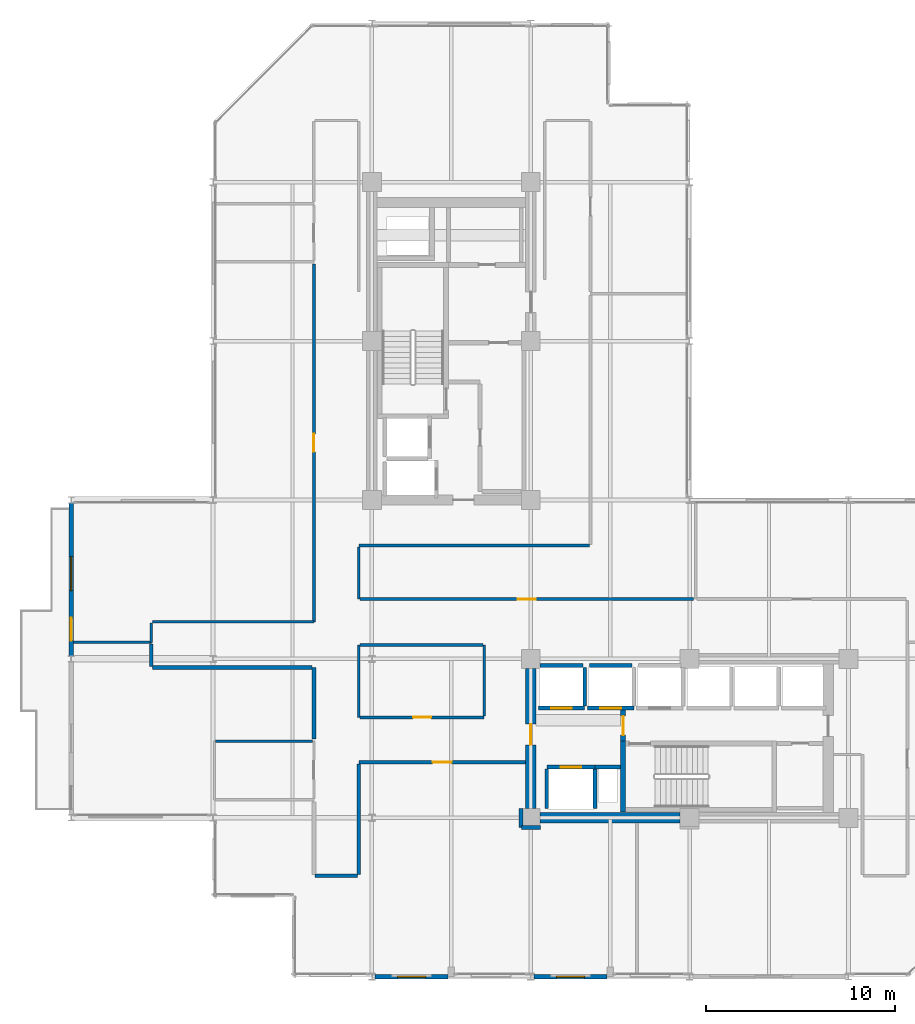
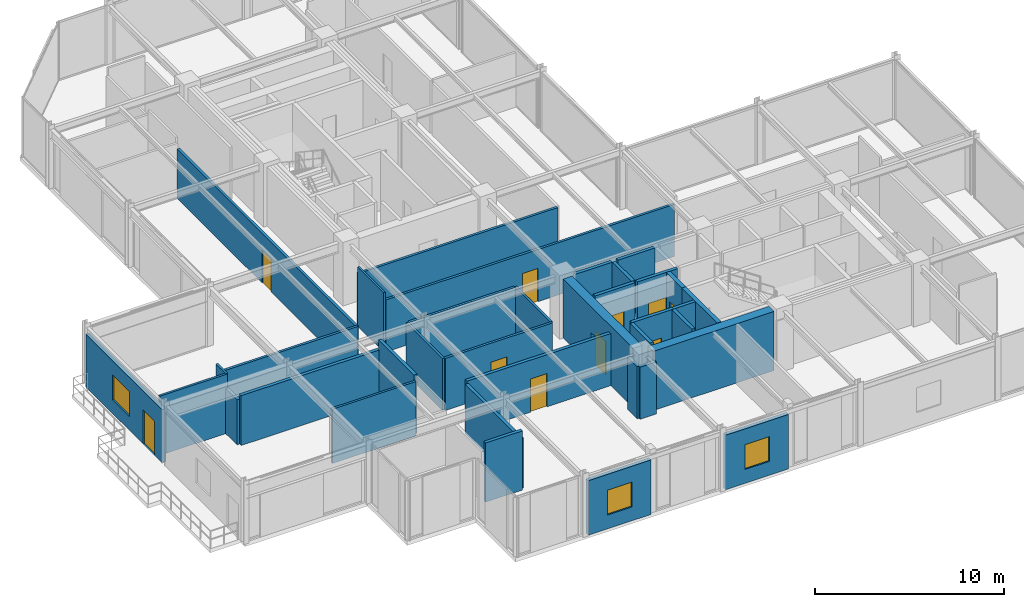
# One storey, part 24 of 29: 36 walls, 10 doors, 3 windows, 13 openings.
"""IFC4 building model written with IfcOpenShell, lengths in metres."""

from ifc_helpers import new_model, si_unit, direction, frame, frame_2d, origin, place, context, subcontext, project, spatial, rectangle, extrude, material, layer, layer_set, type_object, element, fill, save


model = new_model("IFC4")

# Units and contexts
model_context = context("Model", 3, precision=1e-05, world=origin(), true_north=direction((0.0, 1.0)))
body_context = subcontext(model_context, "Body", "Model", "MODEL_VIEW")
ifc_project = project(units=[si_unit("LENGTHUNIT", "METRE"), si_unit("AREAUNIT", "SQUARE_METRE"), si_unit("VOLUMEUNIT", "CUBIC_METRE"), si_unit("PLANEANGLEUNIT", "RADIAN"), si_unit("MASSUNIT", "GRAM", prefix="KILO")], contexts=[model_context])

# Site, building, storey
site_placement = place(None, origin())
site = spatial("IfcSite", under=ifc_project, at=site_placement, CompositionType="ELEMENT")
building_placement = place(site_placement, origin())
building = spatial("IfcBuilding", under=site, at=building_placement, Name="Nerrivon Quay Data Exchange", CompositionType="ELEMENT")
storey_placement = place(building_placement, frame((0.0, 0.0, 196.0)))
storey = spatial("IfcBuildingStorey", under=building, at=storey_placement, Name="L46", CompositionType="ELEMENT", Elevation=196.0)

# Wall, openings, door, window
ifc_material_1 = material(Name="Architectural terracotta precast concrete N50 (50 MPa)", Category="masonry")
ifc_layer_1 = layer(ifc_material_1, 0.239990234375)
ifc_layer_set_1 = layer_set([ifc_layer_1], Name="Architectural terracotta precast concrete N50 (50 MPa)")
wall_type_1 = type_object("IfcWallType", Name="EW-PREC-240", PredefinedType="STANDARD", material=ifc_layer_set_1)
wall_1_placement = place(storey_placement, frame((-7.5, 16.96337890625, 0.0), z_axis=(0.0, 0.0, 1.0), x_axis=(0.0, 1.0, 0.0)))
wall_1 = element("IfcWall", 1, at=wall_1_placement, inside=storey, type_object=wall_type_1, Name="L46 Terrace Host Wall 2", PredefinedType="STANDARD", context=body_context, shape_type="SweptSolid", body=[
    extrude(rectangle(XDim=8.0732421875, YDim=0.239990234375, at=frame_2d((4.03662109375, 0.0))), origin(), (0.0, 0.0, 1.0), 3.422119140625),
])
opening_1_placement = place(wall_1_placement, frame((0.800048828125, 0.0, 0.0)))
opening_1 = element("IfcOpeningElement", 2, at=opening_1_placement, cuts=wall_1, Name="Opening TD1", PredefinedType="OPENING", context=body_context, shape_type="SweptSolid", body=[
    extrude(rectangle(XDim=1.199951171875, YDim=2.199951171875, at=frame_2d((0.60009765625, 1.10009765625))), frame((0.0, 0.1298828125, 0.0), z_axis=(0.0, -1.0, 0.0), x_axis=(1.0, 0.0, 0.0)), (0.0, 0.0, 1.0), 0.260009765625),
])
opening_2_placement = place(wall_1_placement, frame((3.44482421875, 0.0, 0.89990234375)))
opening_2 = element("IfcOpeningElement", 3, at=opening_2_placement, cuts=wall_1, Name="Opening WN2", PredefinedType="OPENING", context=body_context, shape_type="SweptSolid", body=[
    extrude(rectangle(XDim=1.800048828125, YDim=1.60009765625, at=frame_2d((0.89990234375, 0.800048828125))), frame((0.0, 0.1298828125, 0.0), z_axis=(0.0, -1.0, 0.0), x_axis=(1.0, 0.0, 0.0)), (0.0, 0.0, 1.0), 0.260009765625),
])
ifc_material_2 = material(Name="Double-glazed low-E solar control glass", Category="glass")
door_type_1 = type_object("IfcDoorType", Name="DR-TERR-1200x2200", OperationType="NOTDEFINED", PredefinedType="DOOR", material=ifc_material_2)
door_1_placement = place(opening_1_placement, origin())
door_1 = element("IfcDoor", 4, at=door_1_placement, inside=storey, type_object=door_type_1, Name="L46 Outdoor Terrace Access Door 2", OperationType="SINGLE_SWING_LEFT", OverallHeight=2.199951171875, OverallWidth=1.199951171875, PredefinedType="DOOR", context=body_context, shape_type="SweptSolid", body=[
    extrude(rectangle(XDim=1.199951171875, YDim=2.199951171875, at=frame_2d((0.60009765625, 1.10009765625))), frame((0.0, 0.02490234375, 0.0), z_axis=(0.0, -1.0, 0.0), x_axis=(1.0, 0.0, 0.0)), (0.0, 0.0, 1.0), 0.050048828125),
])
fill(opening_1, door_1)
window_type_1 = type_object("IfcWindowType", Name="WIN-W2-1800x1600", PartitioningType="SINGLE_PANEL", PredefinedType="WINDOW", material=ifc_material_2)
window_1_placement = place(opening_2_placement, origin())
window_1 = element("IfcWindow", 5, at=window_1_placement, inside=storey, type_object=window_type_1, Name="L46 Terrace Side Window 2", OverallHeight=1.60009765625, OverallWidth=1.800048828125, PartitioningType="SINGLE_PANEL", PredefinedType="WINDOW", context=body_context, shape_type="SweptSolid", body=[
    extrude(rectangle(XDim=1.800048828125, YDim=1.60009765625, at=frame_2d((0.89990234375, 0.800048828125))), frame((0.0, 0.030029296875, 0.0), z_axis=(0.0, -1.0, 0.0), x_axis=(1.0, 0.0, 0.0)), (0.0, 0.0, 1.0), 0.06005859375),
])
fill(opening_2, window_1)

# Wall, opening, window
wall_2_placement = place(storey_placement, frame((20.824951171875, 0.0, 0.0), z_axis=(0.0, 0.0, 1.0), x_axis=(-1.0, 0.0, 0.0)))
wall_2 = element("IfcWall", 6, at=wall_2_placement, inside=storey, type_object=wall_type_1, Name="L46 Podium Precast Spandrel Wall 25", PredefinedType="STANDARD", context=body_context, shape_type="SweptSolid", body=[
    extrude(rectangle(XDim=3.849853515625, YDim=0.239990234375, at=frame_2d((1.9248046875, 0.0))), origin(), (0.0, 0.0, 1.0), 3.52490234375),
])
opening_3_placement = place(wall_2_placement, frame((1.175048828125, 0.0, 0.89990234375)))
opening_3 = element("IfcOpeningElement", 7, at=opening_3_placement, cuts=wall_2, Name="Opening WN4", PredefinedType="OPENING", context=body_context, shape_type="SweptSolid", body=[
    extrude(rectangle(XDim=1.5, YDim=1.60009765625, at=frame_2d((0.75, 0.800048828125))), frame((0.0, 0.1298828125, 0.0), z_axis=(0.0, -1.0, 0.0), x_axis=(1.0, 0.0, 0.0)), (0.0, 0.0, 1.0), 0.260009765625),
])
window_type_2 = type_object("IfcWindowType", Name="WIN-W4-1500x1600", PartitioningType="SINGLE_PANEL", PredefinedType="WINDOW", material=ifc_material_2)
window_2_placement = place(opening_3_placement, origin())
window_2 = element("IfcWindow", 8, at=window_2_placement, inside=storey, type_object=window_type_2, Name="L46 Solar Facade Window 25", OverallHeight=1.60009765625, OverallWidth=1.5, PartitioningType="SINGLE_PANEL", PredefinedType="WINDOW", context=body_context, shape_type="SweptSolid", body=[
    extrude(rectangle(XDim=1.5, YDim=1.60009765625, at=frame_2d((0.75, 0.800048828125))), frame((0.0, 0.030029296875, 0.0), z_axis=(0.0, -1.0, 0.0), x_axis=(1.0, 0.0, 0.0)), (0.0, 0.0, 1.0), 0.06005859375),
])
fill(opening_3, window_2)

wall_3_placement = place(storey_placement, frame((12.425048828125, 0.0, 0.0), z_axis=(0.0, 0.0, 1.0), x_axis=(-1.0, 0.0, 0.0)))
wall_3 = element("IfcWall", 9, at=wall_3_placement, inside=storey, type_object=wall_type_1, Name="L46 Podium Precast Spandrel Wall 27", PredefinedType="STANDARD", context=body_context, shape_type="SweptSolid", body=[
    extrude(rectangle(XDim=3.85009765625, YDim=0.239990234375, at=frame_2d((1.925048828125, 0.0))), origin(), (0.0, 0.0, 1.0), 3.52490234375),
])
opening_4_placement = place(wall_3_placement, frame((1.175048828125, 0.0, 0.89990234375)))
opening_4 = element("IfcOpeningElement", 10, at=opening_4_placement, cuts=wall_3, Name="Opening WN4", PredefinedType="OPENING", context=body_context, shape_type="SweptSolid", body=[
    extrude(rectangle(XDim=1.5, YDim=1.60009765625, at=frame_2d((0.75, 0.800048828125))), frame((0.0, 0.1298828125, 0.0), z_axis=(0.0, -1.0, 0.0), x_axis=(1.0, 0.0, 0.0)), (0.0, 0.0, 1.0), 0.260009765625),
])
window_3_placement = place(opening_4_placement, origin())
window_3 = element("IfcWindow", 11, at=window_3_placement, inside=storey, type_object=window_type_2, Name="L46 Solar Facade Window 27", OverallHeight=1.60009765625, OverallWidth=1.5, PartitioningType="SINGLE_PANEL", PredefinedType="WINDOW", context=body_context, shape_type="SweptSolid", body=[
    extrude(rectangle(XDim=1.5, YDim=1.60009765625, at=frame_2d((0.75, 0.800048828125))), frame((0.0, 0.030029296875, 0.0), z_axis=(0.0, -1.0, 0.0), x_axis=(1.0, 0.0, 0.0)), (0.0, 0.0, 1.0), 0.06005859375),
])
fill(opening_4, window_3)

# Wall
ifc_material_3 = material(Name="Concrete S65 (65 MPa)", Category="concrete")
ifc_layer_2 = layer(ifc_material_3, 0.550048828125)
ifc_layer_set_2 = layer_set([ifc_layer_2], Name="Concrete S65 (65 MPa)")
wall_type_2 = type_object("IfcWallType", Name="WALL-CW-700", PredefinedType="SHEAR", material=ifc_layer_set_2)
wall_4_placement = place(storey_placement, frame((17.300048828125, 8.39990234375, 0.0), z_axis=(0.0, 0.0, 1.0), x_axis=(1.0, 0.0, 0.0)))
element("IfcWall", 12, at=wall_4_placement, inside=storey, type_object=wall_type_2, Name="L46 East Split-Core Shear Wall ECW-S1", PredefinedType="SHEAR", context=body_context, shape_type="SweptSolid", body=[
    extrude(rectangle(XDim=7.39990234375, YDim=0.550048828125, at=frame_2d((3.699951171875, 0.0))), origin(), (0.0, 0.0, 1.0), 3.824951171875),
])

# Wall, opening, door
wall_5_placement = place(storey_placement, frame((16.800048828125, 8.89990234375, 0.0), z_axis=(0.0, 0.0, 1.0), x_axis=(0.0, 1.0, 0.0)))
wall_5 = element("IfcWall", 13, at=wall_5_placement, inside=storey, type_object=wall_type_2, Name="L46 East Split-Core Shear Wall ECW-W1", PredefinedType="SHEAR", context=body_context, shape_type="SweptSolid", body=[
    extrude(rectangle(XDim=7.400146484375, YDim=0.550048828125, at=frame_2d((3.7001953125, 0.0))), origin(), (0.0, 0.0, 1.0), 3.824951171875),
])
opening_5_placement = place(wall_5_placement, frame((3.35009765625, 0.0, 0.0)))
opening_5 = element("IfcOpeningElement", 14, at=opening_5_placement, cuts=wall_5, Name="Opening FD-120", PredefinedType="OPENING", context=body_context, shape_type="SweptSolid", body=[
    extrude(rectangle(XDim=1.10009765625, YDim=2.14990234375, at=frame_2d((0.550048828125, 1.074951171875))), frame((0.0, 0.284912109375, 0.0), z_axis=(0.0, -1.0, 0.0), x_axis=(1.0, 0.0, 0.0)), (0.0, 0.0, 1.0), 0.570068359375),
])
ifc_material_4 = material(Name="Powder-coated galvanized steel sheet", Category="steel")
door_type_2 = type_object("IfcDoorType", Name="DR-FD120-1100", OperationType="NOTDEFINED", PredefinedType="DOOR", material=ifc_material_4)
door_2_placement = place(opening_5_placement, origin())
door_2 = element("IfcDoor", 15, at=door_2_placement, inside=storey, type_object=door_type_2, Name="L46 East Core Lobby Fire Door", OperationType="SINGLE_SWING_RIGHT", OverallHeight=2.14990234375, OverallWidth=1.10009765625, PredefinedType="DOOR", context=body_context, shape_type="SweptSolid", body=[
    extrude(rectangle(XDim=1.10009765625, YDim=2.14990234375, at=frame_2d((0.550048828125, 1.074951171875))), frame((0.0, 0.02490234375, 0.0), z_axis=(0.0, -1.0, 0.0), x_axis=(1.0, 0.0, 0.0)), (0.0, 0.0, 1.0), 0.050048828125),
])
fill(opening_5, door_2)

# Wall
ifc_material_5 = material(Name="Gypsum plasterboard on cold-formed framing", Category="gypsum")
ifc_layer_3 = layer(ifc_material_5, 0.199951171875)
ifc_layer_set_3 = layer_set([ifc_layer_3], Name="Gypsum plasterboard on cold-formed framing")
wall_type_3 = type_object("IfcWallType", Name="WALL-FW-200", PredefinedType="PARTITIONING", material=ifc_layer_set_3)
wall_6_placement = place(storey_placement, frame((20.199951171875, 11.080078125, 0.0), z_axis=(0.0, 0.0, 1.0), x_axis=(1.0, 0.0, 0.0)))
element("IfcWall", 16, at=wall_6_placement, inside=storey, type_object=wall_type_3, Name="L46 East Core MEP Riser Shaft Wall N", PredefinedType="PARTITIONING", context=body_context, shape_type="SweptSolid", body=[
    extrude(rectangle(XDim=1.35009765625, YDim=0.199951171875, at=frame_2d((0.675048828125, 0.0))), origin(), (0.0, 0.0, 1.0), 3.824951171875),
])

# Wall, opening, door
wall_7_placement = place(storey_placement, frame((17.64990234375, 11.080078125, 0.0), z_axis=(0.0, 0.0, 1.0), x_axis=(1.0, 0.0, 0.0)))
wall_7 = element("IfcWall", 17, at=wall_7_placement, inside=storey, type_object=wall_type_3, Name="L46 Lift Front Wall FFL-2", PredefinedType="PARTITIONING", context=body_context, shape_type="SweptSolid", body=[
    extrude(rectangle(XDim=2.550048828125, YDim=0.199951171875, at=frame_2d((1.27490234375, 0.0))), origin(), (0.0, 0.0, 1.0), 3.824951171875),
])
opening_6_placement = place(wall_7_placement, frame((0.72509765625, 0.0, 0.0)))
opening_6 = element("IfcOpeningElement", 18, at=opening_6_placement, cuts=wall_7, Name="Opening LD-120", PredefinedType="OPENING", context=body_context, shape_type="SweptSolid", body=[
    extrude(rectangle(XDim=1.10009765625, YDim=2.199951171875, at=frame_2d((0.550048828125, 1.10009765625))), frame((0.0, 0.10986328125, 0.0), z_axis=(0.0, -1.0, 0.0), x_axis=(1.0, 0.0, 0.0)), (0.0, 0.0, 1.0), 0.219970703125),
])
door_type_3 = type_object("IfcDoorType", Name="DR-LIFT-LD120", OperationType="DOUBLE_DOOR_SLIDING", PredefinedType="DOOR", material=ifc_material_4)
door_3_placement = place(opening_6_placement, origin())
door_3 = element("IfcDoor", 19, at=door_3_placement, inside=storey, type_object=door_type_3, Name="L46 Lift Landing Sliding Door FFL-2", OperationType="DOUBLE_DOOR_SLIDING", OverallHeight=2.199951171875, OverallWidth=1.10009765625, PredefinedType="DOOR", context=body_context, shape_type="SweptSolid", body=[
    extrude(rectangle(XDim=1.10009765625, YDim=2.199951171875, at=frame_2d((0.550048828125, 1.10009765625))), frame((0.0, 0.02490234375, 0.0), z_axis=(0.0, -1.0, 0.0), x_axis=(1.0, 0.0, 0.0)), (0.0, 0.0, 1.0), 0.050048828125),
])
fill(opening_6, door_3)

# Walls
for number, where, z_axis, x_axis, name in (
    (20, (20.199951171875, 8.8798828125, 0.0), (0.0, 0.0, 1.0), (0.0, 1.0, 0.0), "L46 Lift Shaft Wall FFL-2 EAST"),
    (21, (17.64990234375, 8.8798828125, 0.0), (0.0, 0.0, 1.0), (0.0, 1.0, 0.0), "L46 Lift Shaft Wall FFL-2 WEST"),
):
    element("IfcWall", number, at=place(storey_placement, frame(where, z_axis=z_axis, x_axis=x_axis)), inside=storey, type_object=wall_type_3, Name=name, PredefinedType="PARTITIONING", context=body_context, shape_type="SweptSolid", body=[
        extrude(rectangle(XDim=2.10009765625, YDim=0.199951171875, at=frame_2d((1.050048828125, 0.0))), origin(), (0.0, 0.0, 1.0), 3.824951171875),
    ])

# Wall, opening, door
wall_8_placement = place(storey_placement, frame((17.199951171875, 14.199951171875, 0.0), z_axis=(0.0, 0.0, 1.0), x_axis=(1.0, 0.0, 0.0)))
wall_8 = element("IfcWall", 22, at=wall_8_placement, inside=storey, type_object=wall_type_3, Name="L46 Lift Front Wall PL4", PredefinedType="PARTITIONING", context=body_context, shape_type="SweptSolid", body=[
    extrude(rectangle(XDim=2.449951171875, YDim=0.199951171875, at=frame_2d((1.22509765625, 0.0))), origin(), (0.0, 0.0, 1.0), 3.824951171875),
])
opening_7_placement = place(wall_8_placement, frame((0.675048828125, 0.0, 0.0)))
opening_7 = element("IfcOpeningElement", 23, at=opening_7_placement, cuts=wall_8, Name="Opening LD-120", PredefinedType="OPENING", context=body_context, shape_type="SweptSolid", body=[
    extrude(rectangle(XDim=1.10009765625, YDim=2.199951171875, at=frame_2d((0.550048828125, 1.10009765625))), frame((0.0, 0.10986328125, 0.0), z_axis=(0.0, -1.0, 0.0), x_axis=(1.0, 0.0, 0.0)), (0.0, 0.0, 1.0), 0.219970703125),
])
door_4_placement = place(opening_7_placement, origin())
door_4 = element("IfcDoor", 24, at=door_4_placement, inside=storey, type_object=door_type_3, Name="L46 Lift Landing Sliding Door PL4", OperationType="DOUBLE_DOOR_SLIDING", OverallHeight=2.199951171875, OverallWidth=1.10009765625, PredefinedType="DOOR", context=body_context, shape_type="SweptSolid", body=[
    extrude(rectangle(XDim=1.10009765625, YDim=2.199951171875, at=frame_2d((0.550048828125, 1.10009765625))), frame((0.0, 0.02490234375, 0.0), z_axis=(0.0, -1.0, 0.0), x_axis=(1.0, 0.0, 0.0)), (0.0, 0.0, 1.0), 0.050048828125),
])
fill(opening_7, door_4)

# Walls
wall_9_placement = place(storey_placement, frame((19.64990234375, 14.300048828125, 0.0), z_axis=(0.0, 0.0, 1.0), x_axis=(0.0, 1.0, 0.0)))
element("IfcWall", 25, at=wall_9_placement, inside=storey, type_object=wall_type_3, Name="L46 Lift Shaft Wall PL4 EAST", PredefinedType="PARTITIONING", context=body_context, shape_type="SweptSolid", body=[
    extrude(rectangle(XDim=2.050048828125, YDim=0.199951171875, at=frame_2d((1.02490234375, 0.0))), origin(), (0.0, 0.0, 1.0), 3.824951171875),
])
wall_10_placement = place(storey_placement, frame((17.300048828125, 16.449951171875, 0.0), z_axis=(0.0, 0.0, 1.0), x_axis=(1.0, 0.0, 0.0)))
element("IfcWall", 26, at=wall_10_placement, inside=storey, type_object=wall_type_3, Name="L46 Lift Shaft Wall PL4 NORTH", PredefinedType="PARTITIONING", context=body_context, shape_type="SweptSolid", body=[
    extrude(rectangle(XDim=2.25, YDim=0.199951171875, at=frame_2d((1.125, 0.0))), origin(), (0.0, 0.0, 1.0), 3.824951171875),
])

# Wall, opening, door
wall_11_placement = place(storey_placement, frame((19.800048828125, 14.199951171875, 0.0), z_axis=(0.0, 0.0, 1.0), x_axis=(1.0, 0.0, 0.0)))
wall_11 = element("IfcWall", 27, at=wall_11_placement, inside=storey, type_object=wall_type_3, Name="L46 Lift Front Wall PL5", PredefinedType="PARTITIONING", context=body_context, shape_type="SweptSolid", body=[
    extrude(rectangle(XDim=2.449951171875, YDim=0.199951171875, at=frame_2d((1.22509765625, 0.0))), origin(), (0.0, 0.0, 1.0), 3.824951171875),
])
opening_8_placement = place(wall_11_placement, frame((0.675048828125, 0.0, 0.0)))
opening_8 = element("IfcOpeningElement", 28, at=opening_8_placement, cuts=wall_11, Name="Opening LD-120", PredefinedType="OPENING", context=body_context, shape_type="SweptSolid", body=[
    extrude(rectangle(XDim=1.10009765625, YDim=2.199951171875, at=frame_2d((0.550048828125, 1.10009765625))), frame((0.0, 0.10986328125, 0.0), z_axis=(0.0, -1.0, 0.0), x_axis=(1.0, 0.0, 0.0)), (0.0, 0.0, 1.0), 0.219970703125),
])
door_5_placement = place(opening_8_placement, origin())
door_5 = element("IfcDoor", 29, at=door_5_placement, inside=storey, type_object=door_type_3, Name="L46 Lift Landing Sliding Door PL5", OperationType="DOUBLE_DOOR_SLIDING", OverallHeight=2.199951171875, OverallWidth=1.10009765625, PredefinedType="DOOR", context=body_context, shape_type="SweptSolid", body=[
    extrude(rectangle(XDim=1.10009765625, YDim=2.199951171875, at=frame_2d((0.550048828125, 1.10009765625))), frame((0.0, 0.02490234375, 0.0), z_axis=(0.0, -1.0, 0.0), x_axis=(1.0, 0.0, 0.0)), (0.0, 0.0, 1.0), 0.050048828125),
])
fill(opening_8, door_5)

# Walls
wall_12_placement = place(storey_placement, frame((19.89990234375, 16.449951171875, 0.0), z_axis=(0.0, 0.0, 1.0), x_axis=(1.0, 0.0, 0.0)))
element("IfcWall", 30, at=wall_12_placement, inside=storey, type_object=wall_type_3, Name="L46 Lift Shaft Wall PL5 NORTH", PredefinedType="PARTITIONING", context=body_context, shape_type="SweptSolid", body=[
    extrude(rectangle(XDim=2.25, YDim=0.199951171875, at=frame_2d((1.125, 0.0))), origin(), (0.0, 0.0, 1.0), 3.824951171875),
])
wall_13_placement = place(storey_placement, frame((-3.260009765625, 16.39990234375, 0.0), z_axis=(0.0, 0.0, 1.0), x_axis=(0.0, 1.0, 0.0)))
element("IfcWall", 31, at=wall_13_placement, inside=storey, type_object=wall_type_3, Name="L46 Partition Colocation Data Workspace 1", PredefinedType="PARTITIONING", context=body_context, shape_type="SweptSolid", body=[
    extrude(rectangle(XDim=1.198486328125, YDim=0.199951171875, at=frame_2d((0.59912109375, 0.0))), origin(), (0.0, 0.0, 1.0), 2.9150390625),
])
wall_14_placement = place(storey_placement, frame((17.303955078125, 7.88037109375, 0.0), z_axis=(0.0, 0.0, 1.0), x_axis=(-0.999999881717, -0.000486381265, 0.0)))
element("IfcWall", 32, at=wall_14_placement, inside=storey, type_object=wall_type_3, Name="L46 Partition Colocation Data Workspace 1", PredefinedType="PARTITIONING", context=body_context, shape_type="SweptSolid", body=[
    extrude(rectangle(XDim=1.00390625, YDim=0.199951171875, at=frame_2d((0.501953125, 0.0))), origin(), (0.0, 0.0, 1.0), 3.37109375),
])
wall_15_placement = place(storey_placement, frame((16.280029296875, 7.89990234375, 0.0), z_axis=(0.0, 0.0, 1.0), x_axis=(0.000486381265, 0.999999881717, 0.0)))
element("IfcWall", 33, at=wall_15_placement, inside=storey, type_object=wall_type_3, Name="L46 Partition Colocation Data Workspace 1", PredefinedType="PARTITIONING", context=body_context, shape_type="SweptSolid", body=[
    extrude(rectangle(XDim=1.00390625, YDim=0.199951171875, at=frame_2d((0.501953125, 0.0))), origin(), (0.0, 0.0, 1.0), 3.364990234375),
])

# Wall, opening, door
wall_16_placement = place(storey_placement, frame((16.52099609375, 11.340087890625, 0.0), z_axis=(0.0, 0.0, 1.0), x_axis=(-1.0, 0.0, 0.0)))
wall_16 = element("IfcWall", 34, at=wall_16_placement, inside=storey, type_object=wall_type_3, Name="L46 Partition Colocation Data Workspace 1", PredefinedType="PARTITIONING", context=body_context, shape_type="SweptSolid", body=[
    extrude(rectangle(XDim=8.81103515625, YDim=0.199951171875, at=frame_2d((4.405517578125, 0.0))), origin(), (0.0, 0.0, 1.0), 3.37109375),
])
opening_9_placement = place(wall_16_placement, frame((3.905517578125, 0.0, 0.0)))
opening_9 = element("IfcOpeningElement", 35, at=opening_9_placement, cuts=wall_16, Name="Opening FD-60", PredefinedType="OPENING", context=body_context, shape_type="SweptSolid", body=[
    extrude(rectangle(XDim=1.0, YDim=2.14990234375, at=frame_2d((0.5, 1.074951171875))), frame((0.0, 0.10986328125, 0.0), z_axis=(0.0, -1.0, 0.0), x_axis=(1.0, 0.0, 0.0)), (0.0, 0.0, 1.0), 0.219970703125),
])
ifc_material_6 = material(Name="Engineered hardwood timber", Category="wood")
door_type_4 = type_object("IfcDoorType", Name="DR-FD60-1000", OperationType="NOTDEFINED", PredefinedType="DOOR", material=ifc_material_6)
door_6_placement = place(opening_9_placement, origin())
door_6 = element("IfcDoor", 36, at=door_6_placement, inside=storey, type_object=door_type_4, Name="L46 Door Colocation Data Workspace 1", OperationType="SINGLE_SWING_RIGHT", OverallHeight=2.14990234375, OverallWidth=1.0, PredefinedType="DOOR", context=body_context, shape_type="SweptSolid", body=[
    extrude(rectangle(XDim=1.0, YDim=2.14990234375, at=frame_2d((0.5, 1.074951171875))), frame((0.0, 0.02490234375, 0.0), z_axis=(0.0, -1.0, 0.0), x_axis=(1.0, 0.0, 0.0)), (0.0, 0.0, 1.0), 0.050048828125),
])
fill(opening_9, door_6)

# Walls
wall_17_placement = place(storey_placement, frame((7.7099609375, 11.236083984375, 0.0), z_axis=(0.0, 0.0, 1.0), x_axis=(0.0, -1.0, 0.0)))
element("IfcWall", 37, at=wall_17_placement, inside=storey, type_object=wall_type_3, Name="L46 Partition Colocation Data Workspace 1", PredefinedType="PARTITIONING", context=body_context, shape_type="SweptSolid", body=[
    extrude(rectangle(XDim=5.836181640625, YDim=0.199951171875, at=frame_2d((2.91796875, 0.0))), origin(), (0.0, 0.0, 1.0), 3.212890625),
])
wall_18_placement = place(storey_placement, frame((7.64990234375, 5.340087890625, 0.0), z_axis=(0.0, 0.0, 1.0), x_axis=(-1.0, 0.0, 0.0)))
element("IfcWall", 38, at=wall_18_placement, inside=storey, type_object=wall_type_3, Name="L46 Partition Colocation Data Workspace 1", PredefinedType="PARTITIONING", context=body_context, shape_type="SweptSolid", body=[
    extrude(rectangle(XDim=2.25, YDim=0.199951171875, at=frame_2d((1.125, 0.0))), origin(), (0.0, 0.0, 1.0), 3.824951171875),
])
wall_19_placement = place(storey_placement, frame((5.340087890625, 12.570068359375, 0.0), z_axis=(0.0, 0.0, 1.0), x_axis=(0.0, 1.0, 0.0)))
element("IfcWall", 39, at=wall_19_placement, inside=storey, type_object=wall_type_3, Name="L46 Partition Colocation Data Workspace 1", PredefinedType="PARTITIONING", context=body_context, shape_type="SweptSolid", body=[
    extrude(rectangle(XDim=3.77001953125, YDim=0.199951171875, at=frame_2d((1.885009765625, 0.0))), origin(), (0.0, 0.0, 1.0), 3.824951171875),
])
wall_20_placement = place(storey_placement, frame((5.236083984375, 16.340087890625, 0.0), z_axis=(0.0, 0.0, 1.0), x_axis=(-1.0, 0.0, 0.0)))
element("IfcWall", 40, at=wall_20_placement, inside=storey, type_object=wall_type_3, Name="L46 Partition Colocation Data Workspace 1", PredefinedType="PARTITIONING", context=body_context, shape_type="SweptSolid", body=[
    extrude(rectangle(XDim=8.43603515625, YDim=0.199951171875, at=frame_2d((4.218017578125, 0.0))), origin(), (0.0, 0.0, 1.0), 3.222900390625),
])
ifc_layer_4 = layer(ifc_material_5, 0.1201171875)
ifc_layer_set_4 = layer_set([ifc_layer_4], Name="Gypsum plasterboard on cold-formed framing")
wall_type_4 = type_object("IfcWallType", Name="WALL-PT-120", PredefinedType="PARTITIONING", material=ifc_layer_set_4)
wall_21_placement = place(storey_placement, frame((7.7099609375, 22.7109375, 0.0), z_axis=(0.0, 0.0, 1.0), x_axis=(0.0, -1.0, 0.0)))
element("IfcWall", 41, at=wall_21_placement, inside=storey, type_object=wall_type_4, Name="L46 Partition Staff Tea Pantry", PredefinedType="PARTITIONING", context=body_context, shape_type="SweptSolid", body=[
    extrude(rectangle(XDim=2.7509765625, YDim=0.1201171875, at=frame_2d((1.37548828125, 0.0))), origin(), (0.0, 0.0, 1.0), 3.824951171875),
])
wall_22_placement = place(storey_placement, frame((-3.260009765625, 17.669921875, 0.0), z_axis=(0.0, 0.0, 1.0), x_axis=(0.000235682294, 0.999999972227, 0.0)))
element("IfcWall", 42, at=wall_22_placement, inside=storey, type_object=wall_type_4, Name="L46 Partition Network Security Control", PredefinedType="PARTITIONING", context=body_context, shape_type="SweptSolid", body=[
    extrude(rectangle(XDim=1.035888671875, YDim=0.1201171875, at=frame_2d((0.51806640625, 0.0))), origin(), (0.0, 0.0, 1.0), 3.824951171875),
])
ifc_layer_5 = layer(ifc_material_5, 0.135009765625)
ifc_layer_set_5 = layer_set([ifc_layer_5], Name="Gypsum plasterboard on cold-formed framing")
wall_type_5 = type_object("IfcWallType", Name="WALL-PT-135", PredefinedType="PARTITIONING", material=ifc_layer_set_5)
wall_23_placement = place(storey_placement, frame((5.27587890625, 12.449951171875, 0.0), z_axis=(0.0, 0.0, 1.0), x_axis=(-1.0, 0.0, 0.0)))
element("IfcWall", 43, at=wall_23_placement, inside=storey, type_object=wall_type_5, Name="L46 Partition Public Washrooms", PredefinedType="PARTITIONING", context=body_context, shape_type="SweptSolid", body=[
    extrude(rectangle(XDim=5.1318359375, YDim=0.135009765625, at=frame_2d((2.56591796875, 0.0))), origin(), (0.0, 0.0, 1.0), 3.51806640625),
])
wall_24_placement = place(storey_placement, frame((7.7099609375, 17.5400390625, 0.0), z_axis=(0.0, 0.0, 1.0), x_axis=(0.0, -1.0, 0.0)))
element("IfcWall", 44, at=wall_24_placement, inside=storey, type_object=wall_type_5, Name="L46 Partition Staff Pantry", PredefinedType="PARTITIONING", context=body_context, shape_type="SweptSolid", body=[
    extrude(rectangle(XDim=3.830078125, YDim=0.135009765625, at=frame_2d((1.9150390625, 0.0))), origin(), (0.0, 0.0, 1.0), 3.364990234375),
])
wall_25_placement = place(storey_placement, frame((14.340087890625, 13.7890625, 0.0), z_axis=(0.0, 0.0, 1.0), x_axis=(0.0, 1.0, 0.0)))
element("IfcWall", 45, at=wall_25_placement, inside=storey, type_object=wall_type_5, Name="L46 Partition Staff Pantry", PredefinedType="PARTITIONING", context=body_context, shape_type="SweptSolid", body=[
    extrude(rectangle(XDim=3.7509765625, YDim=0.135009765625, at=frame_2d((1.87548828125, 0.0))), origin(), (0.0, 0.0, 1.0), 3.364990234375),
])
wall_26_placement = place(storey_placement, frame((-7.3759765625, 17.669921875, 0.0), z_axis=(0.0, 0.0, 1.0), x_axis=(1.0, 0.0, 0.0)))
element("IfcWall", 46, at=wall_26_placement, inside=storey, type_object=wall_type_5, Name="L46 Partition Network Security Control", PredefinedType="PARTITIONING", context=body_context, shape_type="SweptSolid", body=[
    extrude(rectangle(XDim=4.115966796875, YDim=0.135009765625, at=frame_2d((2.05810546875, 0.0))), origin(), (0.0, 0.0, 1.0), 3.824951171875),
])

# Wall, opening, door
ifc_layer_6 = layer(ifc_material_5, 0.14990234375)
ifc_layer_set_6 = layer_set([ifc_layer_6], Name="Gypsum plasterboard on cold-formed framing")
wall_type_6 = type_object("IfcWallType", Name="WALL-PT-150", PredefinedType="PARTITIONING", material=ifc_layer_set_6)
wall_27_placement = place(storey_placement, frame((7.781494140625, 13.7099609375, 0.0), z_axis=(0.0, 0.0, 1.0), x_axis=(1.0, 0.0, 0.0)))
wall_27 = element("IfcWall", 47, at=wall_27_placement, inside=storey, type_object=wall_type_6, Name="L46 Partition Staff Pantry", PredefinedType="PARTITIONING", context=body_context, shape_type="SweptSolid", body=[
    extrude(rectangle(XDim=6.55859375, YDim=0.14990234375, at=frame_2d((3.279296875, 0.0))), origin(), (0.0, 0.0, 1.0), 3.37109375),
])
opening_10_placement = place(wall_27_placement, frame((2.80419921875, 0.0, 0.0)))
opening_10 = element("IfcOpeningElement", 48, at=opening_10_placement, cuts=wall_27, Name="Opening D-01", PredefinedType="OPENING", context=body_context, shape_type="SweptSolid", body=[
    extrude(rectangle(XDim=0.949951171875, YDim=2.14990234375, at=frame_2d((0.47509765625, 1.074951171875))), frame((0.0, 0.0849609375, 0.0), z_axis=(0.0, -1.0, 0.0), x_axis=(1.0, 0.0, 0.0)), (0.0, 0.0, 1.0), 0.169921875),
])
door_type_5 = type_object("IfcDoorType", Name="DR-INT-950", OperationType="NOTDEFINED", PredefinedType="DOOR", material=ifc_material_6)
door_7_placement = place(opening_10_placement, origin())
door_7 = element("IfcDoor", 49, at=door_7_placement, inside=storey, type_object=door_type_5, Name="L46 Door Staff Pantry", OperationType="SINGLE_SWING_RIGHT", OverallHeight=2.14990234375, OverallWidth=0.949951171875, PredefinedType="DOOR", context=body_context, shape_type="SweptSolid", body=[
    extrude(rectangle(XDim=0.949951171875, YDim=2.14990234375, at=frame_2d((0.47509765625, 1.074951171875))), frame((0.0, 0.02490234375, 0.0), z_axis=(0.0, -1.0, 0.0), x_axis=(1.0, 0.0, 0.0)), (0.0, 0.0, 1.0), 0.050048828125),
])
fill(opening_10, door_7)

# Walls
wall_28_placement = place(storey_placement, frame((14.2685546875, 17.5400390625, 0.0), z_axis=(0.0, 0.0, 1.0), x_axis=(-1.0, 0.0, 0.0)))
element("IfcWall", 50, at=wall_28_placement, inside=storey, type_object=wall_type_6, Name="L46 Partition Staff Pantry", PredefinedType="PARTITIONING", context=body_context, shape_type="SweptSolid", body=[
    extrude(rectangle(XDim=6.487060546875, YDim=0.14990234375, at=frame_2d((3.24365234375, 0.0))), origin(), (0.0, 0.0, 1.0), 3.37109375),
])
wall_29_placement = place(storey_placement, frame((19.89990234375, 22.7900390625, 0.0), z_axis=(0.0, 0.0, 1.0), x_axis=(-1.0, 0.0, 0.0)))
element("IfcWall", 51, at=wall_29_placement, inside=storey, type_object=wall_type_6, Name="L46 Partition Staff Tea Pantry", PredefinedType="PARTITIONING", context=body_context, shape_type="SweptSolid", body=[
    extrude(rectangle(XDim=12.18994140625, YDim=0.14990234375, at=frame_2d((6.094970703125, 0.0))), origin(), (0.0, 0.0, 1.0), 3.37109375),
])

# Wall, opening, door
wall_30_placement = place(storey_placement, frame((7.77392578125, 19.9599609375, 0.0), z_axis=(0.0, 0.0, 1.0), x_axis=(1.0, 0.0, 0.0)))
wall_30 = element("IfcWall", 52, at=wall_30_placement, inside=storey, type_object=wall_type_6, Name="L46 Partition Staff Tea Pantry", PredefinedType="PARTITIONING", context=body_context, shape_type="SweptSolid", body=[
    extrude(rectangle(XDim=17.627685546875, YDim=0.14990234375, at=frame_2d((8.81396484375, 0.0))), origin(), (0.0, 0.0, 1.0), 3.37109375),
])
opening_11_placement = place(wall_30_placement, frame((8.3388671875, 0.0, 0.0)))
opening_11 = element("IfcOpeningElement", 53, at=opening_11_placement, cuts=wall_30, Name="Opening D-01", PredefinedType="OPENING", context=body_context, shape_type="SweptSolid", body=[
    extrude(rectangle(XDim=0.949951171875, YDim=2.14990234375, at=frame_2d((0.47509765625, 1.074951171875))), frame((0.0, 0.0849609375, 0.0), z_axis=(0.0, -1.0, 0.0), x_axis=(1.0, 0.0, 0.0)), (0.0, 0.0, 1.0), 0.169921875),
])
door_8_placement = place(opening_11_placement, origin())
door_8 = element("IfcDoor", 54, at=door_8_placement, inside=storey, type_object=door_type_5, Name="L46 Door Staff Tea Pantry", OperationType="SINGLE_SWING_RIGHT", OverallHeight=2.14990234375, OverallWidth=0.949951171875, PredefinedType="DOOR", context=body_context, shape_type="SweptSolid", body=[
    extrude(rectangle(XDim=0.949951171875, YDim=2.14990234375, at=frame_2d((0.47509765625, 1.074951171875))), frame((0.0, 0.02490234375, 0.0), z_axis=(0.0, -1.0, 0.0), x_axis=(1.0, 0.0, 0.0)), (0.0, 0.0, 1.0), 0.050048828125),
])
fill(opening_11, door_8)

# Wall
wall_31_placement = place(storey_placement, frame((-3.205810546875, 18.759765625, 0.0), z_axis=(0.0, 0.0, 1.0), x_axis=(0.999999999592, 2.8568164e-05, 0.0)))
element("IfcWall", 55, at=wall_31_placement, inside=storey, type_object=wall_type_6, Name="L46 Partition Network Security Control", PredefinedType="PARTITIONING", context=body_context, shape_type="SweptSolid", body=[
    extrude(rectangle(XDim=8.5458984375, YDim=0.14990234375, at=frame_2d((4.27294921875, 0.0))), origin(), (0.0, 0.0, 1.0), 3.222900390625),
])

# Wall, opening, door
wall_32_placement = place(storey_placement, frame((5.340087890625, 18.760009765625, 0.0), z_axis=(0.0, 0.0, 1.0), x_axis=(0.0, 1.0, 0.0)))
wall_32 = element("IfcWall", 56, at=wall_32_placement, inside=storey, type_object=wall_type_6, Name="L46 Partition Network Security Control", PredefinedType="PARTITIONING", context=body_context, shape_type="SweptSolid", body=[
    extrude(rectangle(XDim=18.919921875, YDim=0.14990234375, at=frame_2d((9.4599609375, 0.0))), origin(), (0.0, 0.0, 1.0), 3.212890625),
])
opening_12_placement = place(wall_32_placement, frame((8.985107421875, 0.0, 0.0)))
opening_12 = element("IfcOpeningElement", 57, at=opening_12_placement, cuts=wall_32, Name="Opening D-01", PredefinedType="OPENING", context=body_context, shape_type="SweptSolid", body=[
    extrude(rectangle(XDim=0.949951171875, YDim=2.14990234375, at=frame_2d((0.47509765625, 1.074951171875))), frame((0.0, 0.0849609375, 0.0), z_axis=(0.0, -1.0, 0.0), x_axis=(1.0, 0.0, 0.0)), (0.0, 0.0, 1.0), 0.169921875),
])
door_9_placement = place(opening_12_placement, origin())
door_9 = element("IfcDoor", 58, at=door_9_placement, inside=storey, type_object=door_type_5, Name="L46 Door Network Security Control", OperationType="SINGLE_SWING_LEFT", OverallHeight=2.14990234375, OverallWidth=0.949951171875, PredefinedType="DOOR", context=body_context, shape_type="SweptSolid", body=[
    extrude(rectangle(XDim=0.949951171875, YDim=2.14990234375, at=frame_2d((0.47509765625, 1.074951171875))), frame((0.0, 0.02490234375, 0.0), z_axis=(0.0, -1.0, 0.0), x_axis=(1.0, 0.0, 0.0)), (0.0, 0.0, 1.0), 0.050048828125),
])
fill(opening_12, door_9)

# Wall
ifc_material_7 = material(Name="Concrete N50 (50 MPa)", Category="concrete")
ifc_layer_7 = layer(ifc_material_7, 0.25)
ifc_layer_set_7 = layer_set([ifc_layer_7], Name="Concrete N50 (50 MPa)")
wall_type_7 = type_object("IfcWallType", Name="WALL-SW-250", PredefinedType="SHEAR", material=ifc_layer_set_7)
wall_33_placement = place(storey_placement, frame((21.675048828125, 8.699951171875, 0.0), z_axis=(0.0, 0.0, 1.0), x_axis=(0.0, 1.0, 0.0)))
element("IfcWall", 59, at=wall_33_placement, inside=storey, type_object=wall_type_7, Name="L46 ST02 Structural Stair Core Wall NEAR", PredefinedType="SHEAR", context=body_context, shape_type="SweptSolid", body=[
    extrude(rectangle(XDim=3.75, YDim=0.25, at=frame_2d((1.875, 0.0))), origin(), (0.0, 0.0, 1.0), 3.824951171875),
])

# Wall, opening, door
wall_34_placement = place(storey_placement, frame((21.679931640625, 12.449951171875, 0.0), z_axis=(0.0, 0.0, 1.0), x_axis=(0.0, 1.0, 0.0)))
wall_34 = element("IfcWall", 60, at=wall_34_placement, inside=storey, type_object=wall_type_7, Name="L46 East Firefighting Lobby Wall", PredefinedType="SHEAR", context=body_context, shape_type="SweptSolid", body=[
    extrude(rectangle(XDim=1.650146484375, YDim=0.25, at=frame_2d((0.8251953125, 0.0))), origin(), (0.0, 0.0, 1.0), 3.824951171875),
])
opening_13_placement = place(wall_34_placement, frame((0.324951171875, 0.0, 0.0)))
opening_13 = element("IfcOpeningElement", 61, at=opening_13_placement, cuts=wall_34, Name="Opening FD-60", PredefinedType="OPENING", context=body_context, shape_type="SweptSolid", body=[
    extrude(rectangle(XDim=1.0, YDim=2.14990234375, at=frame_2d((0.5, 1.074951171875))), frame((0.0, 0.135009765625, 0.0), z_axis=(0.0, -1.0, 0.0), x_axis=(1.0, 0.0, 0.0)), (0.0, 0.0, 1.0), 0.27001953125),
])
door_10_placement = place(opening_13_placement, origin())
door_10 = element("IfcDoor", 62, at=door_10_placement, inside=storey, type_object=door_type_4, Name="L46 East Firefighting Lobby Fire Door", OperationType="SINGLE_SWING_RIGHT", OverallHeight=2.14990234375, OverallWidth=1.0, PredefinedType="DOOR", context=body_context, shape_type="SweptSolid", body=[
    extrude(rectangle(XDim=1.0, YDim=2.14990234375, at=frame_2d((0.5, 1.074951171875))), frame((0.0, 0.02490234375, 0.0), z_axis=(0.0, -1.0, 0.0), x_axis=(1.0, 0.0, 0.0)), (0.0, 0.0, 1.0), 0.050048828125),
])
fill(opening_13, door_10)

save(model, "model.ifc")
